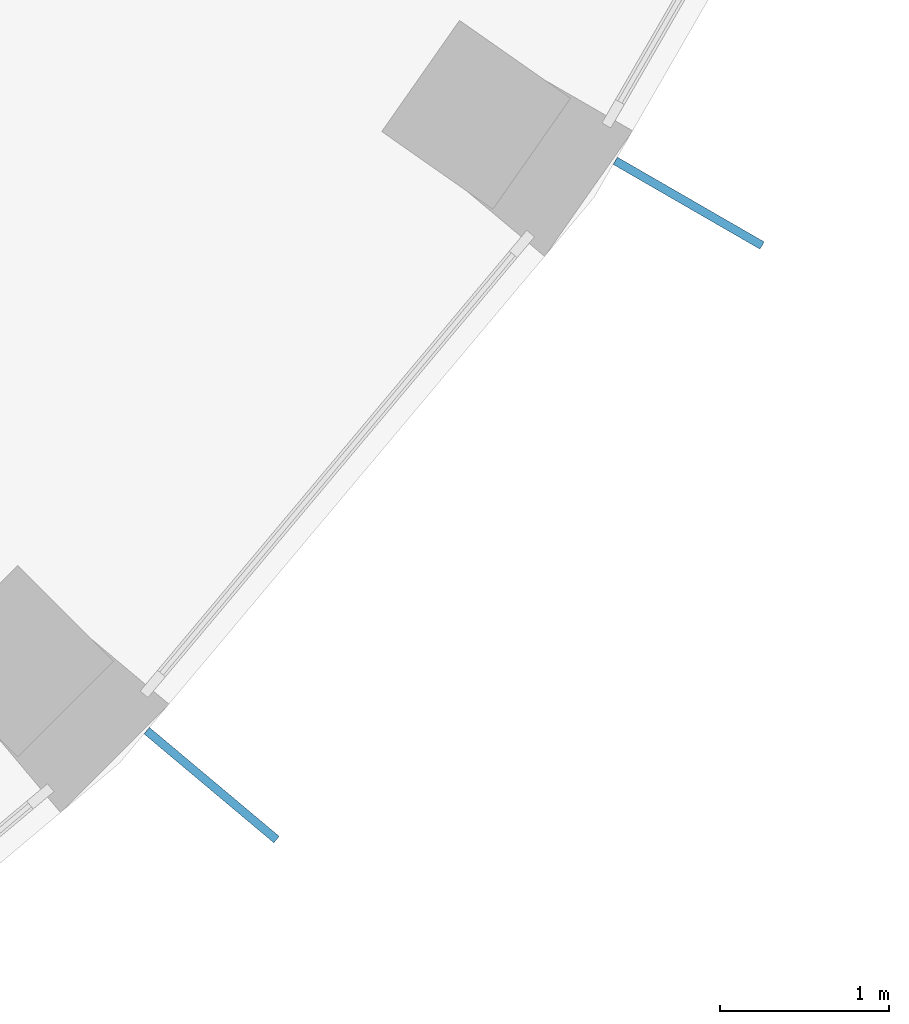
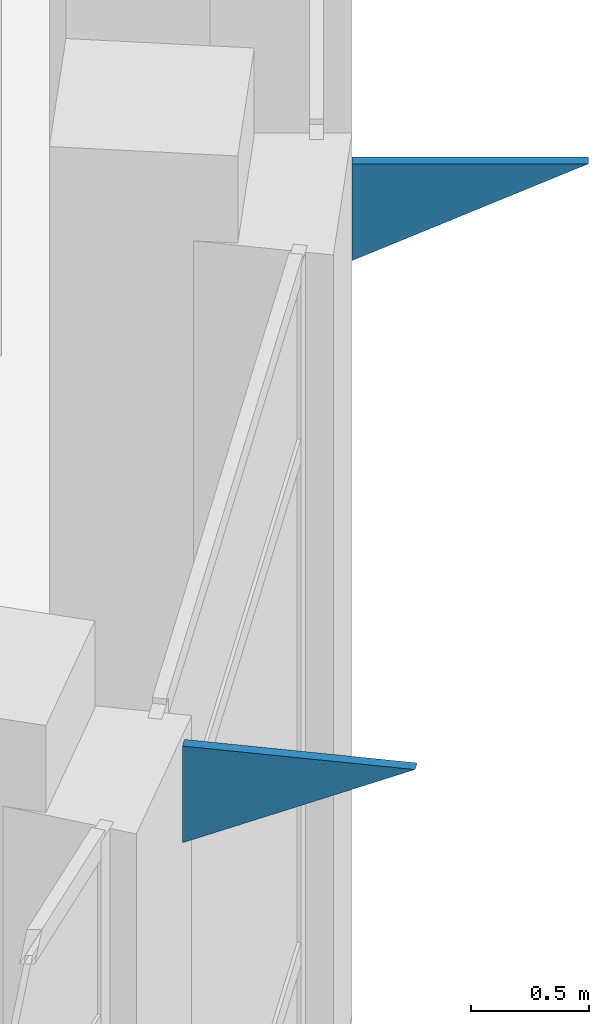
# One storey, part 16 of 18: 2 discrete accessories.
"""IFC4 building model written with IfcOpenShell, lengths in metres."""

from ifc_helpers import new_model, si_unit, direction, frame, origin, place, context, subcontext, project, spatial, polyline, outline, extrude, material, layer, layer_set, type_object, element, save


model = new_model("IFC4")

# Units and contexts
model_context = context("Model", 3, precision=1e-05, world=origin(), true_north=direction((0.0, 1.0)))
body_context = subcontext(model_context, "Body", "Model", "MODEL_VIEW")
ifc_project = project(units=[si_unit("LENGTHUNIT", "METRE"), si_unit("AREAUNIT", "SQUARE_METRE"), si_unit("VOLUMEUNIT", "CUBIC_METRE"), si_unit("PLANEANGLEUNIT", "RADIAN"), si_unit("MASSUNIT", "GRAM", prefix="KILO")], contexts=[model_context])

# Site, building, storey
site_placement = place(None, origin())
site = spatial("IfcSite", under=ifc_project, at=site_placement, CompositionType="ELEMENT")
building_placement = place(site_placement, origin())
building = spatial("IfcBuilding", under=site, at=building_placement, Name="Saqina Gate Tower", CompositionType="ELEMENT")
storey_placement = place(building_placement, frame((0.0, 0.0, 155.800048828125)))
storey = spatial("IfcBuildingStorey", under=building, at=storey_placement, Name="L44", CompositionType="ELEMENT", Elevation=155.800048828125)

# Discrete accessories
ifc_material = material(Name="Galvanised steel", Category="steel")
ifc_layer = layer(ifc_material, 0.050048828125)
ifc_layer_set = layer_set([ifc_layer], Name="BR-GUSSET")
discrete_accessory_type = type_object("IfcDiscreteAccessoryType", Name="BR-GUSSET", PredefinedType="BRACKET", material=ifc_layer_set)
discrete_accessory_1_placement = place(storey_placement, frame((17.8544921875, -17.467041015625, 4.050048828125), z_axis=(0.64277405138, 0.766055819685, 0.0), x_axis=(0.0, 0.0, 1.0)))
element("IfcDiscreteAccessory", 1, at=discrete_accessory_1_placement, inside=storey, type_object=discrete_accessory_type, Name="Terrace slab bracket L45 4", PredefinedType="BRACKET", context=body_context, shape_type="SweptSolid", body=[
    extrude(outline(polyline([(0.0, 0.0), (0.5, 0.0), (0.5, 1.0000750096322275), (0.0, 0.0)])), origin(), (0.0, 0.0, -1.0), 0.050048828125),
])
discrete_accessory_2_placement = place(storey_placement, frame((20.6162109375, -14.101318359375, 4.050048828125), z_axis=(0.499919672301, 0.866071776036, 0.0), x_axis=(0.0, 0.0, 1.0)))
element("IfcDiscreteAccessory", 2, at=discrete_accessory_2_placement, inside=storey, type_object=discrete_accessory_type, Name="Terrace slab bracket L45 5", PredefinedType="BRACKET", context=body_context, shape_type="SweptSolid", body=[
    extrude(outline(polyline([(0.0, 0.0), (0.5, 0.0), (0.5, 1.0001606812130883), (0.0, 0.0)])), origin(), (0.0, 0.0, -1.0), 0.050048828125),
])

save(model, "model.ifc")
